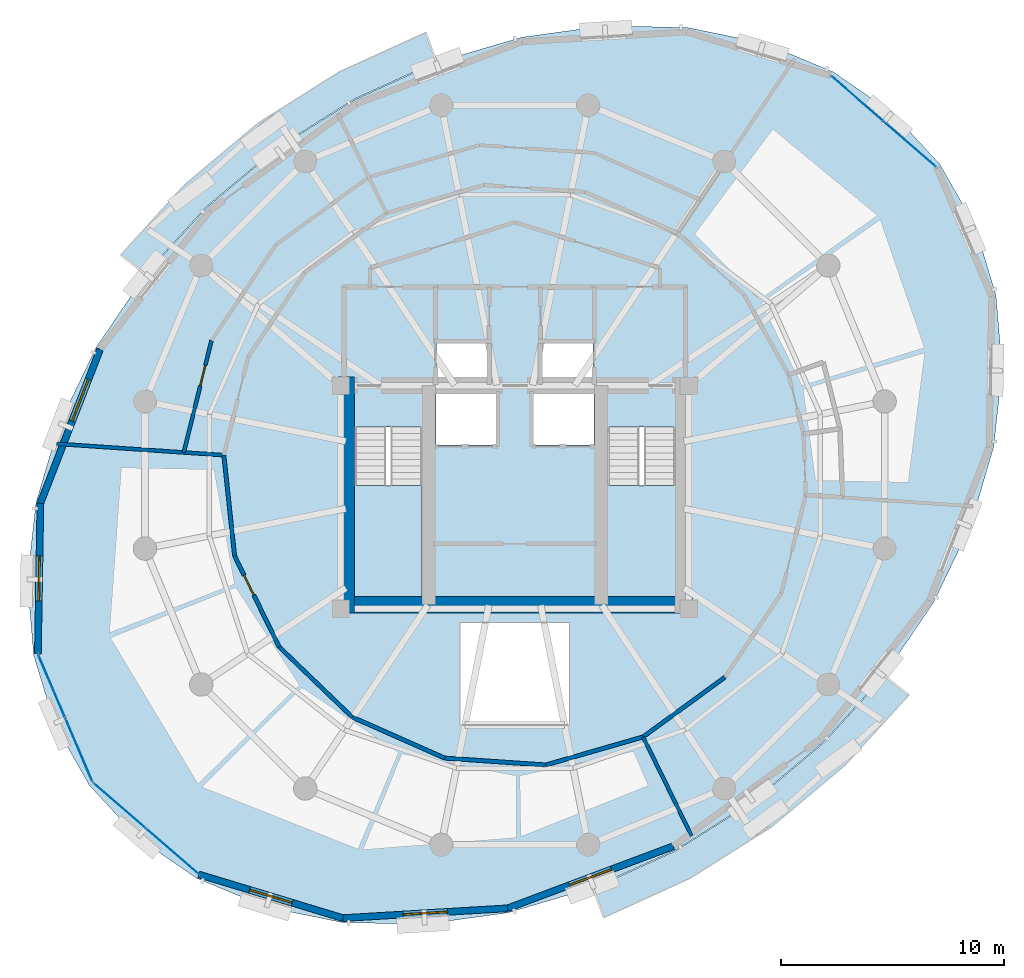
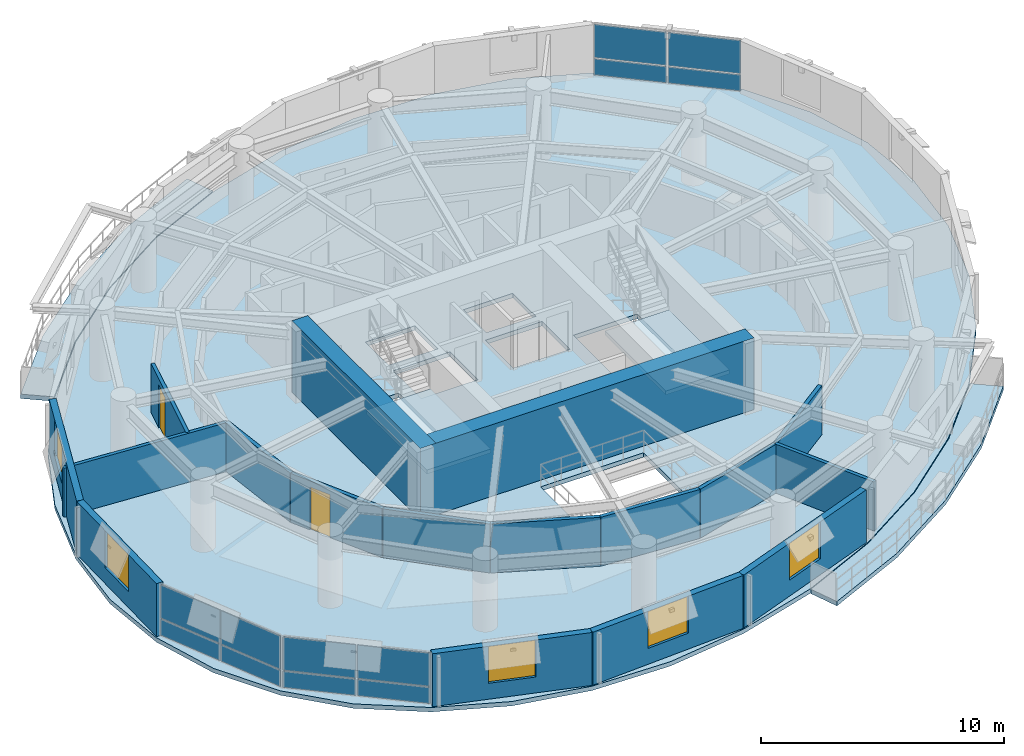
# One storey, part 7 of 12: 17 walls, 12 plates, 5 slabs, 5 windows, 2 doors, 7 openings, 5 elements without a shape of their own.
"""IFC4 building model written with IfcOpenShell, lengths in metres."""

from ifc_helpers import new_model, si_unit, direction, frame, frame_2d, origin, origin_2d, place, context, subcontext, project, spatial, polyline, rectangle, outline, extrude, material, layer, layer_set, type_object, element, fill, aggregate, save


model = new_model("IFC4")

# Units and contexts
model_context = context("Model", 3, precision=1e-05, world=origin(), true_north=direction((0.0, 1.0)))
body_context = subcontext(model_context, "Body", "Model", "MODEL_VIEW")
ifc_project = project(units=[si_unit("LENGTHUNIT", "METRE"), si_unit("AREAUNIT", "SQUARE_METRE"), si_unit("VOLUMEUNIT", "CUBIC_METRE"), si_unit("PLANEANGLEUNIT", "RADIAN"), si_unit("MASSUNIT", "GRAM", prefix="KILO"), si_unit("THERMODYNAMICTEMPERATUREUNIT", "KELVIN"), si_unit("POWERUNIT", "WATT")], contexts=[model_context])

# Site, building, storey
site_placement = place(None, origin())
site = spatial("IfcSite", under=ifc_project, at=site_placement, CompositionType="ELEMENT")
building_placement = place(site_placement, origin())
building = spatial("IfcBuilding", under=site, at=building_placement, Name="Ocrelia Relay Tower", CompositionType="ELEMENT")
storey_placement = place(building_placement, frame((0.0, 0.0, 184.39990234375)))
storey = spatial("IfcBuildingStorey", under=building, at=storey_placement, Name="L44", CompositionType="ELEMENT", Elevation=184.39990234375)

# Curtain wall, plates
ifc_material_1 = material(Name="Aluminium and solar-control low-E glass", Category="aluminium")
ifc_layer_1 = layer(ifc_material_1, 0.179931640625, Name="Aluminium and solar-control low-E glass")
ifc_layer_set_1 = layer_set([ifc_layer_1], Name="Aluminium and solar-control low-E glass")
curtain_wall_type = type_object("IfcCurtainWallType", Name="CW-SYS-Z3-CLOU", PredefinedType="NOTDEFINED", material=ifc_layer_set_1)
curtain_wall_1_placement = place(storey_placement, origin())
curtain_wall_1 = element("IfcCurtainWall", 1, at=curtain_wall_1_placement, inside=storey, type_object=curtain_wall_type, Name="L44 Elliptical Tower Curtain Wall Bay 01", PredefinedType="NOTDEFINED")
ifc_material_2 = material(Name="Clear double-glazed low-E glass", Category="glass")
ifc_layer_2 = layer(ifc_material_2, 0.031982421875, Name="Clear double-glazed low-E glass")
ifc_layer_set_2 = layer_set([ifc_layer_2], Name="Clear double-glazed low-E glass")
plate_type = type_object("IfcPlateType", Name="CW-SYS-Z3-CLOU-PNL", PredefinedType="CURTAIN_PANEL", material=ifc_layer_set_2)
plate_1_placement = place(storey_placement, frame((51.707763671875, 40.82666015625, 0.06005859375), z_axis=(0.0, 0.0, 1.0), x_axis=(-0.755627109499, 0.655002039226, 0.0)))
plate_1 = element("IfcPlate", 2, at=plate_1_placement, type_object=plate_type, Name="CW-Z3 panel 1.1", PredefinedType="CURTAIN_PANEL", context=body_context, shape_type="SweptSolid", body=[
    extrude(rectangle(XDim=3.0439453125, YDim=0.031982421875, at=origin_2d()), origin(), (0.0, 0.0, 1.0), 0.81005859375),
])
plate_2_placement = place(storey_placement, frame((51.707763671875, 40.82666015625, 0.93017578125), z_axis=(0.0, 0.0, 1.0), x_axis=(-0.755627109499, 0.655002039226, 0.0)))
plate_2 = element("IfcPlate", 3, at=plate_2_placement, type_object=plate_type, Name="CW-Z3 panel 1.2", PredefinedType="CURTAIN_PANEL", context=body_context, shape_type="SweptSolid", body=[
    extrude(rectangle(XDim=3.0439453125, YDim=0.031982421875, at=origin_2d()), origin(), (0.0, 0.0, 1.0), 1.669921875),
])
plate_3_placement = place(storey_placement, frame((49.358642578125, 42.863037109375, 0.06005859375), z_axis=(0.0, 0.0, 1.0), x_axis=(-0.755627109499, 0.655002039226, 0.0)))
plate_3 = element("IfcPlate", 4, at=plate_3_placement, type_object=plate_type, Name="CW-Z3 panel 2.1", PredefinedType="CURTAIN_PANEL", context=body_context, shape_type="SweptSolid", body=[
    extrude(rectangle(XDim=3.0439453125, YDim=0.031982421875, at=origin_2d()), origin(), (0.0, 0.0, 1.0), 0.81005859375),
])
plate_4_placement = place(storey_placement, frame((49.358642578125, 42.863037109375, 0.93017578125), z_axis=(0.0, 0.0, 1.0), x_axis=(-0.755627109499, 0.655002039226, 0.0)))
plate_4 = element("IfcPlate", 5, at=plate_4_placement, type_object=plate_type, Name="CW-Z3 panel 2.2", PredefinedType="CURTAIN_PANEL", context=body_context, shape_type="SweptSolid", body=[
    extrude(rectangle(XDim=3.0439453125, YDim=0.031982421875, at=origin_2d()), origin(), (0.0, 0.0, 1.0), 1.669921875),
])
aggregate(curtain_wall_1, [plate_1, plate_2, plate_3, plate_4])

curtain_wall_2_placement = place(storey_placement, origin())
curtain_wall_2 = element("IfcCurtainWall", 6, at=curtain_wall_2_placement, inside=storey, type_object=curtain_wall_type, Name="L44 Elliptical Tower Curtain Wall Bay 09", PredefinedType="NOTDEFINED")
plate_5_placement = place(storey_placement, frame((13.249267578125, 16.531494140625, 0.06005859375), z_axis=(0.0, 0.0, 1.0), x_axis=(0.392651069891, -0.91968752156, 0.0)))
plate_5 = element("IfcPlate", 7, at=plate_5_placement, type_object=plate_type, Name="CW-Z3 panel 1.1", PredefinedType="CURTAIN_PANEL", context=body_context, shape_type="SweptSolid", body=[
    extrude(rectangle(XDim=3.0439453125, YDim=0.031982421875, at=origin_2d()), origin(), (0.0, 0.0, 1.0), 0.81005859375),
])
plate_6_placement = place(storey_placement, frame((13.249267578125, 16.531494140625, 0.93017578125), z_axis=(0.0, 0.0, 1.0), x_axis=(0.392651069891, -0.91968752156, 0.0)))
plate_6 = element("IfcPlate", 8, at=plate_6_placement, type_object=plate_type, Name="CW-Z3 panel 1.2", PredefinedType="CURTAIN_PANEL", context=body_context, shape_type="SweptSolid", body=[
    extrude(rectangle(XDim=3.0439453125, YDim=0.031982421875, at=origin_2d()), origin(), (0.0, 0.0, 1.0), 1.669921875),
])
plate_7_placement = place(storey_placement, frame((14.469970703125, 13.67236328125, 0.06005859375), z_axis=(0.0, 0.0, 1.0), x_axis=(0.392651069891, -0.91968752156, 0.0)))
plate_7 = element("IfcPlate", 9, at=plate_7_placement, type_object=plate_type, Name="CW-Z3 panel 2.1", PredefinedType="CURTAIN_PANEL", context=body_context, shape_type="SweptSolid", body=[
    extrude(rectangle(XDim=3.0439453125, YDim=0.031982421875, at=origin_2d()), origin(), (0.0, 0.0, 1.0), 0.81005859375),
])
plate_8_placement = place(storey_placement, frame((14.469970703125, 13.67236328125, 0.93017578125), z_axis=(0.0, 0.0, 1.0), x_axis=(0.392651069891, -0.91968752156, 0.0)))
plate_8 = element("IfcPlate", 10, at=plate_8_placement, type_object=plate_type, Name="CW-Z3 panel 2.2", PredefinedType="CURTAIN_PANEL", context=body_context, shape_type="SweptSolid", body=[
    extrude(rectangle(XDim=3.0439453125, YDim=0.031982421875, at=origin_2d()), origin(), (0.0, 0.0, 1.0), 1.669921875),
])
aggregate(curtain_wall_2, [plate_5, plate_6, plate_7, plate_8])

curtain_wall_3_placement = place(storey_placement, origin())
curtain_wall_3 = element("IfcCurtainWall", 11, at=curtain_wall_3_placement, inside=storey, type_object=curtain_wall_type, Name="L44 Elliptical Tower Curtain Wall Bay 10", PredefinedType="NOTDEFINED")
plate_9_placement = place(storey_placement, frame((16.292236328125, 11.17333984375, 0.06005859375), z_axis=(0.0, 0.0, 1.0), x_axis=(0.755627109499, -0.655002039226, 0.0)))
plate_9 = element("IfcPlate", 12, at=plate_9_placement, type_object=plate_type, Name="CW-Z3 panel 1.1", PredefinedType="CURTAIN_PANEL", context=body_context, shape_type="SweptSolid", body=[
    extrude(rectangle(XDim=3.0439453125, YDim=0.031982421875, at=origin_2d()), origin(), (0.0, 0.0, 1.0), 0.81005859375),
])
plate_10_placement = place(storey_placement, frame((16.292236328125, 11.17333984375, 0.93017578125), z_axis=(0.0, 0.0, 1.0), x_axis=(0.755627109499, -0.655002039226, 0.0)))
plate_10 = element("IfcPlate", 13, at=plate_10_placement, type_object=plate_type, Name="CW-Z3 panel 1.2", PredefinedType="CURTAIN_PANEL", context=body_context, shape_type="SweptSolid", body=[
    extrude(rectangle(XDim=3.0439453125, YDim=0.031982421875, at=origin_2d()), origin(), (0.0, 0.0, 1.0), 1.669921875),
])
plate_11_placement = place(storey_placement, frame((18.641357421875, 9.136962890625, 0.06005859375), z_axis=(0.0, 0.0, 1.0), x_axis=(0.755627109499, -0.655002039226, 0.0)))
plate_11 = element("IfcPlate", 14, at=plate_11_placement, type_object=plate_type, Name="CW-Z3 panel 2.1", PredefinedType="CURTAIN_PANEL", context=body_context, shape_type="SweptSolid", body=[
    extrude(rectangle(XDim=3.0439453125, YDim=0.031982421875, at=origin_2d()), origin(), (0.0, 0.0, 1.0), 0.81005859375),
])
plate_12_placement = place(storey_placement, frame((18.641357421875, 9.136962890625, 0.93017578125), z_axis=(0.0, 0.0, 1.0), x_axis=(0.755627109499, -0.655002039226, 0.0)))
plate_12 = element("IfcPlate", 15, at=plate_12_placement, type_object=plate_type, Name="CW-Z3 panel 2.2", PredefinedType="CURTAIN_PANEL", context=body_context, shape_type="SweptSolid", body=[
    extrude(rectangle(XDim=3.0439453125, YDim=0.031982421875, at=origin_2d()), origin(), (0.0, 0.0, 1.0), 1.669921875),
])
aggregate(curtain_wall_3, [plate_9, plate_10, plate_11, plate_12])

# Slabs
ifc_material_3 = material(Name="Precast concrete C40/50", Category="concrete")
ifc_layer_3 = layer(ifc_material_3, 0.219970703125, Name="Precast concrete C40/50")
ifc_layer_set_3 = layer_set([ifc_layer_3], Name="Precast concrete C40/50")
slab_type_1 = type_object("IfcSlabType", Name="SL-BALC-220", PredefinedType="FLOOR", material=ifc_layer_set_3)
slab_1_placement = place(storey_placement, frame((0.0, 0.0, -0.219970703125)))
element("IfcSlab", 16, at=slab_1_placement, inside=storey, type_object=slab_type_1, Name="L44 Planted Loggia Balcony B1", PredefinedType="FLOOR", context=body_context, shape_type="SweptSolid", body=[
    extrude(outline(polyline([(30.489990234375, 44.526611328125), (28.64208984375, 43.68505859375), (26.79443359375, 42.843505859375), (23.31787109375, 40.64892578125), (20.16552734375, 38.009521484375), (18.79931640625, 36.507568359375), (17.433349609375, 35.00537109375), (16.339111328125, 35.8681640625), (17.769775390625, 37.44140625), (19.20068359375, 39.0146484375), (22.4970703125, 41.7744140625), (26.13232421875, 44.0693359375), (28.067626953125, 44.95068359375), (30.0029296875, 45.832275390625), (30.489990234375, 44.526611328125)])), origin(), (0.0, 0.0, 1.0), 0.219970703125),
])
slab_2_placement = place(storey_placement, frame((0.0, 0.0, -0.219970703125)))
element("IfcSlab", 17, at=slab_2_placement, inside=storey, type_object=slab_type_1, Name="L44 Planted Loggia Balcony B2", PredefinedType="FLOOR", context=body_context, shape_type="SweptSolid", body=[
    extrude(outline(polyline([(37.510009765625, 7.473388671875), (39.357666015625, 8.31494140625), (41.20556640625, 9.156494140625), (44.68212890625, 11.35107421875), (47.83447265625, 13.990478515625), (49.20068359375, 15.492431640625), (50.566650390625, 16.99462890625), (51.660888671875, 16.1318359375), (50.230224609375, 14.55859375), (48.79931640625, 12.9853515625), (45.5029296875, 10.2255859375), (41.86767578125, 7.9306640625), (39.932373046875, 7.04931640625), (37.9970703125, 6.167724609375), (37.510009765625, 7.473388671875)])), origin(), (0.0, 0.0, 1.0), 0.219970703125),
])
ifc_material_4 = material(Name="Concrete C50/60", Category="concrete")
ifc_layer_4 = layer(ifc_material_4, 0.219970703125, Name="Concrete C50/60")
ifc_layer_set_4 = layer_set([ifc_layer_4], Name="Concrete C50/60")
slab_type_2 = type_object("IfcSlabType", Name="SL-FLR-220", PredefinedType="FLOOR", material=ifc_layer_set_4)
slab_3_placement = place(storey_placement, frame((0.0, 0.0, -0.219970703125)))
element("IfcSlab", 18, at=slab_3_placement, inside=storey, type_object=slab_type_2, Name="L44 Elliptical Tower Floor Slab", PredefinedType="FLOOR", context=body_context, shape_type="SweptSolid", body=[
    extrude(outline(polyline([(53.068603515625, 39.905029296875), (50.927001953125, 42.2333984375), (48.27099609375, 44.068359375), (45.181640625, 45.3544921875), (41.75244140625, 46.052490234375), (38.087646484375, 46.14111328125), (34.298583984375, 45.617919921875), (30.50048828125, 44.498291015625), (26.808837890625, 42.81689453125), (23.33544921875, 40.62451171875), (20.186279296875, 37.98779296875), (17.456787109375, 34.98681640625), (15.22998046875, 31.712890625), (13.573486328125, 28.26513671875), (12.53759765625, 24.74853515625), (12.15380859375, 21.270263671875), (12.43408203125, 17.935546875), (13.369384765625, 14.845703125), (14.931396484375, 12.094970703125), (17.072998046875, 9.7666015625), (19.72900390625, 7.931640625), (22.818359375, 6.6455078125), (26.24755859375, 5.947509765625), (29.912353515625, 5.85888671875), (33.701416015625, 6.382080078125), (37.49951171875, 7.501708984375), (41.191162109375, 9.18310546875), (44.66455078125, 11.37548828125), (47.813720703125, 14.01220703125), (50.543212890625, 17.01318359375), (52.77001953125, 20.287109375), (54.426513671875, 23.73486328125), (55.46240234375, 27.25146484375), (55.84619140625, 30.729736328125), (55.56591796875, 34.064453125), (54.630615234375, 37.154296875), (53.068603515625, 39.905029296875)]), holes=[polyline([(26.81005859375, 28.14990234375), (26.81005859375, 20.550048828125), (29.85009765625, 20.550048828125), (29.85009765625, 28.14990234375), (26.81005859375, 28.14990234375)]), polyline([(38.159912109375, 28.14990234375), (38.159912109375, 20.550048828125), (41.199951171875, 20.550048828125), (41.199951171875, 28.14990234375), (38.159912109375, 28.14990234375)]), polyline([(30.4599609375, 27.35009765625), (33.159912109375, 27.35009765625), (33.159912109375, 29.64990234375), (30.4599609375, 29.64990234375), (30.4599609375, 27.35009765625)]), polyline([(34.840087890625, 27.35009765625), (37.5400390625, 27.35009765625), (37.5400390625, 29.64990234375), (34.840087890625, 29.64990234375), (34.840087890625, 27.35009765625)]), polyline([(30.5, 30.10009765625), (32.85009765625, 30.10009765625), (32.85009765625, 32.0), (30.5, 32.0), (30.5, 30.10009765625)]), polyline([(35.14990234375, 30.10009765625), (37.5, 30.10009765625), (37.5, 32.0), (35.14990234375, 32.0), (35.14990234375, 30.10009765625)]), polyline([(31.550048828125, 14.800048828125), (36.449951171875, 14.800048828125), (36.449951171875, 19.39990234375), (31.550048828125, 19.39990234375), (31.550048828125, 14.800048828125)])]), origin(), (0.0, 0.0, 1.0), 0.219970703125),
])

# Stair, slab
stair_type = type_object("IfcStairType", Name="ST-DL-1420-R180", PredefinedType="HALF_TURN_STAIR", material=ifc_material_4)
stair_1_placement = place(storey_placement, origin())
stair_1 = element("IfcStair", 19, at=stair_1_placement, inside=storey, type_object=stair_type, Name="L44 West Core Exit Stair ST1", PredefinedType="HALF_TURN_STAIR")
ifc_layer_5 = layer(ifc_material_4, 0.199951171875, Name="Concrete C50/60")
ifc_layer_set_5 = layer_set([ifc_layer_5], Name="Concrete C50/60")
slab_type_3 = type_object("IfcSlabType", Name="SL-LANDING-200", PredefinedType="LANDING", material=ifc_layer_set_5)
slab_4_placement = place(storey_placement, frame((0.0, 0.0, 1.60009765625)))
slab_4 = element("IfcSlab", 20, at=slab_4_placement, type_object=slab_type_3, Name="ST1 landing 1", PredefinedType="LANDING", context=body_context, shape_type="SweptSolid", body=[
    extrude(outline(polyline([(26.81005859375, 25.5400390625), (26.81005859375, 20.550048828125), (29.85009765625, 20.550048828125), (29.85009765625, 25.5400390625), (26.81005859375, 25.5400390625)])), origin(), (0.0, 0.0, 1.0), 0.199951171875),
])
aggregate(stair_1, [slab_4])

stair_2_placement = place(storey_placement, origin())
stair_2 = element("IfcStair", 21, at=stair_2_placement, inside=storey, type_object=stair_type, Name="L44 East Core Exit Stair ST2", PredefinedType="HALF_TURN_STAIR")
slab_5_placement = place(storey_placement, frame((0.0, 0.0, 1.60009765625)))
slab_5 = element("IfcSlab", 22, at=slab_5_placement, type_object=slab_type_3, Name="ST2 landing 1", PredefinedType="LANDING", context=body_context, shape_type="SweptSolid", body=[
    extrude(outline(polyline([(38.159912109375, 25.5400390625), (38.159912109375, 20.550048828125), (41.199951171875, 20.550048828125), (41.199951171875, 25.5400390625), (38.159912109375, 25.5400390625)])), origin(), (0.0, 0.0, 1.0), 0.199951171875),
])
aggregate(stair_2, [slab_5])

# Walls
ifc_material_5 = material(Name="Concrete C60/75", Category="concrete")
ifc_layer_6 = layer(ifc_material_5, 0.75, Name="Concrete C60/75")
ifc_layer_set_6 = layer_set([ifc_layer_6], Name="Concrete C60/75")
wall_type_1 = type_object("IfcWallType", Name="CW-CORE-750", PredefinedType="SHEAR", material=ifc_layer_set_6)
wall_1_placement = place(storey_placement, frame((26.072021484375, 20.18701171875, 0.0), z_axis=(0.0, 0.0, 1.0), x_axis=(1.0, 0.0, 0.0)))
element("IfcWall", 23, at=wall_1_placement, inside=storey, type_object=wall_type_1, Name="L44 Core Shear Wall S", PredefinedType="SHEAR", context=body_context, shape_type="SweptSolid", body=[
    extrude(rectangle(XDim=15.865966796875, YDim=0.75, at=frame_2d((7.93310546875, 0.0))), origin(), (0.0, 0.0, 1.0), 3.60009765625),
])
wall_2_placement = place(storey_placement, frame((26.447021484375, 19.81201171875, 0.0), z_axis=(0.0, 0.0, 1.0), x_axis=(0.0, 1.0, 0.0)))
element("IfcWall", 24, at=wall_2_placement, inside=storey, type_object=wall_type_1, Name="L44 Core Shear Wall W", PredefinedType="SHEAR", context=body_context, shape_type="SweptSolid", body=[
    extrude(rectangle(XDim=10.575927734375, YDim=0.75, at=frame_2d((5.2880859375, 0.0))), origin(), (0.0, 0.0, 1.0), 3.60009765625),
])
ifc_material_6 = material(Name="Gypsum Fireboard Partition EI60", Category="gypsum")
ifc_layer_7 = layer(ifc_material_6, 0.179931640625, Name="Gypsum Fireboard Partition EI60")
ifc_layer_set_7 = layer_set([ifc_layer_7], Name="Gypsum Fireboard Partition EI60")
wall_type_2 = type_object("IfcWallType", Name="W-CORR-EI60-180", PredefinedType="PARTITIONING", material=ifc_layer_set_7)
wall_3_placement = place(storey_placement, frame((20.960205078125, 26.888916015625, 0.0), z_axis=(0.0, 0.0, 1.0), x_axis=(0.106280537679, -0.994336184251, 0.0)))
element("IfcWall", 25, at=wall_3_placement, inside=storey, type_object=wall_type_2, Name="L44 Spectrum Operations Office Corridor Partition 1", PredefinedType="PARTITIONING", context=body_context, shape_type="SweptSolid", body=[
    extrude(rectangle(XDim=4.5390625, YDim=0.179931640625, at=frame_2d((2.26953125, 0.0))), origin(), (0.0, 0.0, 1.0), 2.460205078125),
])

# Wall, opening, door
wall_4_placement = place(storey_placement, frame((21.442626953125, 22.37548828125, 0.0), z_axis=(0.0, 0.0, 1.0), x_axis=(0.439970139949, -0.898012403006, 0.0)))
wall_4 = element("IfcWall", 26, at=wall_4_placement, inside=storey, type_object=wall_type_2, Name="L44 Spectrum Operations Office Corridor Partition 2", PredefinedType="PARTITIONING", context=body_context, shape_type="SweptSolid", body=[
    extrude(rectangle(XDim=4.5390625, YDim=0.179931640625, at=frame_2d((2.26953125, 0.0))), origin(), (0.0, 0.0, 1.0), 2.460205078125),
])
opening_1_placement = place(wall_4_placement, frame((0.959716796875, 0.0, 0.0)))
opening_1 = element("IfcOpeningElement", 27, at=opening_1_placement, cuts=wall_4, Name="Opening D-RM100", PredefinedType="OPENING", context=body_context, shape_type="SweptSolid", body=[
    extrude(rectangle(XDim=1.0, YDim=2.14990234375, at=frame_2d((0.5, 1.074951171875))), frame((0.0, 0.10009765625, 0.0), z_axis=(0.0, -1.0, 0.0), x_axis=(1.0, 0.0, 0.0)), (0.0, 0.0, 1.0), 0.199951171875),
])
ifc_material_7 = material(Name="Acoustic oak veneer fire door", Category="wood")
door_type_1 = type_object("IfcDoorType", Name="DR-ROOM-FD60-1000", OperationType="NOTDEFINED", PredefinedType="DOOR", material=ifc_material_7)
door_1_placement = place(opening_1_placement, origin())
door_1 = element("IfcDoor", 28, at=door_1_placement, inside=storey, type_object=door_type_1, Name="L44 Spectrum Operations Office Entrance Door", OperationType="SINGLE_SWING_LEFT", OverallHeight=2.14990234375, OverallWidth=1.0, PredefinedType="DOOR", context=body_context, shape_type="SweptSolid", body=[
    extrude(rectangle(XDim=1.0, YDim=2.14990234375, at=frame_2d((0.5, 1.074951171875))), frame((0.0, 0.02490234375, 0.0), z_axis=(0.0, -1.0, 0.0), x_axis=(1.0, 0.0, 0.0)), (0.0, 0.0, 1.0), 0.050048828125),
])
fill(opening_1, door_1)

# Walls
wall_5_placement = place(storey_placement, frame((23.439697265625, 18.29931640625, 0.0), z_axis=(0.0, 0.0, 1.0), x_axis=(0.720504320507, -0.693450448216, 0.0)))
element("IfcWall", 29, at=wall_5_placement, inside=storey, type_object=wall_type_2, Name="L44 Spectrum Operations Office Corridor Partition 3", PredefinedType="PARTITIONING", context=body_context, shape_type="SweptSolid", body=[
    extrude(rectangle(XDim=4.539306640625, YDim=0.179931640625, at=frame_2d((2.26953125, 0.0))), origin(), (0.0, 0.0, 1.0), 2.460205078125),
])
wall_6_placement = place(storey_placement, frame((26.710205078125, 15.151611328125, 0.0), z_axis=(0.0, 0.0, 1.0), x_axis=(0.914263453777, -0.405120151421, 0.0)))
element("IfcWall", 30, at=wall_6_placement, inside=storey, type_object=wall_type_2, Name="L44 Spectrum Operations Office Corridor Partition 4", PredefinedType="PARTITIONING", context=body_context, shape_type="SweptSolid", body=[
    extrude(rectangle(XDim=4.5390625, YDim=0.179931640625, at=frame_2d((2.26953125, 0.0))), origin(), (0.0, 0.0, 1.0), 2.460205078125),
])
wall_7_placement = place(storey_placement, frame((30.860107421875, 13.312744140625, 0.0), z_axis=(0.0, 0.0, 1.0), x_axis=(0.997682863043, -0.068036055081, 0.0)))
element("IfcWall", 31, at=wall_7_placement, inside=storey, type_object=wall_type_2, Name="L44 Spectrum Operations Office Corridor Partition 5", PredefinedType="PARTITIONING", context=body_context, shape_type="SweptSolid", body=[
    extrude(rectangle(XDim=4.539306640625, YDim=0.179931640625, at=frame_2d((2.26953125, 0.0))), origin(), (0.0, 0.0, 1.0), 2.460205078125),
])
for number, where, z_axis, x_axis, name in (
    (32, (35.388916015625, 13.00390625, 0.0), (0.0, 0.0, 1.0), (0.960777578055, 0.27732011378, 0.0), "L44 Spectrum Operations Office Corridor Partition 6"),
    (33, (39.75, 14.2626953125, 0.0), (0.0, 0.0, 1.0), (0.807970187932, 0.589223366316, 0.0), "L44 Fiber Patch Store Corridor Partition 1"),
):
    element("IfcWall", number, at=place(storey_placement, frame(where, z_axis=z_axis, x_axis=x_axis)), inside=storey, type_object=wall_type_2, Name=name, PredefinedType="PARTITIONING", context=body_context, shape_type="SweptSolid", body=[
        extrude(rectangle(XDim=4.5390625, YDim=0.179931640625, at=frame_2d((2.26953125, 0.0))), origin(), (0.0, 0.0, 1.0), 2.460205078125),
    ])

# Wall, opening, window
ifc_material_8 = material(Name="Precast concrete C40/50 with oxide terracotta", Category="masonry")
ifc_layer_8 = layer(ifc_material_8, 0.300048828125, Name="Precast concrete C40/50 with oxide terracotta")
ifc_layer_set_8 = layer_set([ifc_layer_8], Name="Precast concrete C40/50 with oxide terracotta")
wall_type_3 = type_object("IfcWallType", Name="W-EXT-TERR-300", PredefinedType="SOLIDWALL", material=ifc_layer_set_8)
wall_8_placement = place(storey_placement, frame((15.412841796875, 31.631591796875, 0.0), z_axis=(0.0, 0.0, 1.0), x_axis=(-0.361691208155, -0.93229795127, 0.0)))
wall_8 = element("IfcWall", 34, at=wall_8_placement, inside=storey, type_object=wall_type_3, Name="L44 Oxide Terracotta Facade Wall 07", PredefinedType="SOLIDWALL", context=body_context, shape_type="SweptSolid", body=[
    extrude(rectangle(XDim=7.397216796875, YDim=0.300048828125, at=frame_2d((3.69873046875, 0.0))), origin(), (0.0, 0.0, 1.0), 2.66015625),
])
opening_2_placement = place(wall_8_placement, frame((1.43896484375, 0.0, 0.800048828125)))
opening_2 = element("IfcOpeningElement", 35, at=opening_2_placement, cuts=wall_8, Name="Opening W-03", PredefinedType="OPENING", context=body_context, shape_type="SweptSolid", body=[
    extrude(rectangle(XDim=2.0, YDim=1.85009765625, at=frame_2d((1.0, 0.925048828125))), frame((0.0, 0.16015625, 0.0), z_axis=(0.0, -1.0, 0.0), x_axis=(1.0, 0.0, 0.0)), (0.0, 0.0, 1.0), 0.320068359375),
])
window_type = type_object("IfcWindowType", Name="WIN-Z3-2000x2200", PartitioningType="DOUBLE_PANEL_VERTICAL", PredefinedType="WINDOW", material=ifc_material_2)
window_1_placement = place(opening_2_placement, origin())
window_1 = element("IfcWindow", 36, at=window_1_placement, inside=storey, type_object=window_type, Name="L44 Facade Module Window 07", OverallHeight=1.85009765625, OverallWidth=2.0, PartitioningType="SINGLE_PANEL", PredefinedType="WINDOW", context=body_context, shape_type="SweptSolid", body=[
    extrude(rectangle(XDim=2.0, YDim=1.85009765625, at=frame_2d((1.0, 0.925048828125))), frame((0.0, 0.030029296875, 0.0), z_axis=(0.0, -1.0, 0.0), x_axis=(1.0, 0.0, 0.0)), (0.0, 0.0, 1.0), 0.06005859375),
])
fill(opening_2, window_1)

wall_9_placement = place(storey_placement, frame((12.7373046875, 24.735107421875, 0.0), z_axis=(0.0, 0.0, 1.0), x_axis=(-0.016468950616, -0.999864377636, 0.0)))
wall_9 = element("IfcWall", 37, at=wall_9_placement, inside=storey, type_object=wall_type_3, Name="L44 Oxide Terracotta Facade Wall 08", PredefinedType="SOLIDWALL", context=body_context, shape_type="SweptSolid", body=[
    extrude(rectangle(XDim=6.7451171875, YDim=0.300048828125, at=frame_2d((3.37255859375, 0.0))), origin(), (0.0, 0.0, 1.0), 2.66015625),
])
opening_3_placement = place(wall_9_placement, frame((2.373046875, 0.0, 0.800048828125)))
opening_3 = element("IfcOpeningElement", 38, at=opening_3_placement, cuts=wall_9, Name="Opening W-03", PredefinedType="OPENING", context=body_context, shape_type="SweptSolid", body=[
    extrude(rectangle(XDim=2.0, YDim=1.85009765625, at=frame_2d((1.0, 0.925048828125))), frame((0.0, 0.16015625, 0.0), z_axis=(0.0, -1.0, 0.0), x_axis=(1.0, 0.0, 0.0)), (0.0, 0.0, 1.0), 0.320068359375),
])
window_2_placement = place(opening_3_placement, origin())
window_2 = element("IfcWindow", 39, at=window_2_placement, inside=storey, type_object=window_type, Name="L44 Facade Module Window 08", OverallHeight=1.85009765625, OverallWidth=2.0, PartitioningType="SINGLE_PANEL", PredefinedType="WINDOW", context=body_context, shape_type="SweptSolid", body=[
    extrude(rectangle(XDim=2.0, YDim=1.85009765625, at=frame_2d((1.0, 0.925048828125))), frame((0.0, 0.030029296875, 0.0), z_axis=(0.0, -1.0, 0.0), x_axis=(1.0, 0.0, 0.0)), (0.0, 0.0, 1.0), 0.06005859375),
])
fill(opening_3, window_2)

wall_10_placement = place(storey_placement, frame((19.84033203125, 8.09765625, 0.0), z_axis=(0.0, 0.0, 1.0), x_axis=(0.957028666132, -0.289993331306, 0.0)))
wall_10 = element("IfcWall", 40, at=wall_10_placement, inside=storey, type_object=wall_type_3, Name="L44 Oxide Terracotta Facade Wall 11", PredefinedType="SOLIDWALL", context=body_context, shape_type="SweptSolid", body=[
    extrude(rectangle(XDim=6.7451171875, YDim=0.300048828125, at=frame_2d((3.37255859375, 0.0))), origin(), (0.0, 0.0, 1.0), 2.66015625),
])
opening_4_placement = place(wall_10_placement, frame((2.373046875, 0.0, 0.800048828125)))
opening_4 = element("IfcOpeningElement", 41, at=opening_4_placement, cuts=wall_10, Name="Opening W-03", PredefinedType="OPENING", context=body_context, shape_type="SweptSolid", body=[
    extrude(rectangle(XDim=2.0, YDim=1.85009765625, at=frame_2d((1.0, 0.925048828125))), frame((0.0, 0.16015625, 0.0), z_axis=(0.0, -1.0, 0.0), x_axis=(1.0, 0.0, 0.0)), (0.0, 0.0, 1.0), 0.320068359375),
])
window_3_placement = place(opening_4_placement, origin())
window_3 = element("IfcWindow", 42, at=window_3_placement, inside=storey, type_object=window_type, Name="L44 Facade Module Window 11", OverallHeight=1.85009765625, OverallWidth=2.0, PartitioningType="SINGLE_PANEL", PredefinedType="WINDOW", context=body_context, shape_type="SweptSolid", body=[
    extrude(rectangle(XDim=2.0, YDim=1.85009765625, at=frame_2d((1.0, 0.925048828125))), frame((0.0, 0.030029296875, 0.0), z_axis=(0.0, -1.0, 0.0), x_axis=(1.0, 0.0, 0.0)), (0.0, 0.0, 1.0), 0.06005859375),
])
fill(opening_4, window_3)

wall_11_placement = place(storey_placement, frame((26.295654296875, 6.1416015625, 0.0), z_axis=(0.0, 0.0, 1.0), x_axis=(0.998233967271, 0.059404937385, 0.0)))
wall_11 = element("IfcWall", 43, at=wall_11_placement, inside=storey, type_object=wall_type_3, Name="L44 Oxide Terracotta Facade Wall 12", PredefinedType="SOLIDWALL", context=body_context, shape_type="SweptSolid", body=[
    extrude(rectangle(XDim=7.397705078125, YDim=0.300048828125, at=frame_2d((3.69873046875, 0.0))), origin(), (0.0, 0.0, 1.0), 2.66015625),
])
opening_5_placement = place(wall_11_placement, frame((2.698974609375, 0.0, 0.800048828125)))
opening_5 = element("IfcOpeningElement", 44, at=opening_5_placement, cuts=wall_11, Name="Opening W-03", PredefinedType="OPENING", context=body_context, shape_type="SweptSolid", body=[
    extrude(rectangle(XDim=2.0, YDim=1.85009765625, at=frame_2d((1.0, 0.925048828125))), frame((0.0, 0.16015625, 0.0), z_axis=(0.0, -1.0, 0.0), x_axis=(1.0, 0.0, 0.0)), (0.0, 0.0, 1.0), 0.320068359375),
])
window_4_placement = place(opening_5_placement, origin())
window_4 = element("IfcWindow", 45, at=window_4_placement, inside=storey, type_object=window_type, Name="L44 Facade Module Window 12", OverallHeight=1.85009765625, OverallWidth=2.0, PartitioningType="SINGLE_PANEL", PredefinedType="WINDOW", context=body_context, shape_type="SweptSolid", body=[
    extrude(rectangle(XDim=2.0, YDim=1.85009765625, at=frame_2d((1.0, 0.925048828125))), frame((0.0, 0.030029296875, 0.0), z_axis=(0.0, -1.0, 0.0), x_axis=(1.0, 0.0, 0.0)), (0.0, 0.0, 1.0), 0.06005859375),
])
fill(opening_5, window_4)

wall_12_placement = place(storey_placement, frame((33.68017578125, 6.5810546875, 0.0), z_axis=(0.0, 0.0, 1.0), x_axis=(0.93641901012, 0.350883794846, 0.0)))
wall_12 = element("IfcWall", 46, at=wall_12_placement, inside=storey, type_object=wall_type_3, Name="L44 Oxide Terracotta Facade Wall 13", PredefinedType="SOLIDWALL", context=body_context, shape_type="SweptSolid", body=[
    extrude(rectangle(XDim=7.927001953125, YDim=0.300048828125, at=frame_2d((3.96337890625, 0.0))), origin(), (0.0, 0.0, 1.0), 2.66015625),
])
opening_6_placement = place(wall_12_placement, frame((2.964111328125, 0.0, 0.800048828125)))
opening_6 = element("IfcOpeningElement", 47, at=opening_6_placement, cuts=wall_12, Name="Opening W-03", PredefinedType="OPENING", context=body_context, shape_type="SweptSolid", body=[
    extrude(rectangle(XDim=2.0, YDim=1.85009765625, at=frame_2d((1.0, 0.925048828125))), frame((0.0, 0.16015625, 0.0), z_axis=(0.0, -1.0, 0.0), x_axis=(1.0, 0.0, 0.0)), (0.0, 0.0, 1.0), 0.320068359375),
])
window_5_placement = place(opening_6_placement, origin())
window_5 = element("IfcWindow", 48, at=window_5_placement, inside=storey, type_object=window_type, Name="L44 Facade Module Window 13", OverallHeight=1.85009765625, OverallWidth=2.0, PartitioningType="SINGLE_PANEL", PredefinedType="WINDOW", context=body_context, shape_type="SweptSolid", body=[
    extrude(rectangle(XDim=2.0, YDim=1.85009765625, at=frame_2d((1.0, 0.925048828125))), frame((0.0, 0.030029296875, 0.0), z_axis=(0.0, -1.0, 0.0), x_axis=(1.0, 0.0, 0.0)), (0.0, 0.0, 1.0), 0.06005859375),
])
fill(opening_6, window_5)

# Wall
ifc_material_9 = material(Name="Acoustic Fireboard Partition EI60", Category="gypsum")
ifc_layer_9 = layer(ifc_material_9, 0.159912109375, Name="Acoustic Fireboard Partition EI60")
ifc_layer_set_9 = layer_set([ifc_layer_9], Name="Acoustic Fireboard Partition EI60")
wall_type_4 = type_object("IfcWallType", Name="W-PART-160", PredefinedType="PARTITIONING", material=ifc_layer_set_9)
wall_13_placement = place(storey_placement, frame((20.960205078125, 26.888916015625, 0.0), z_axis=(0.0, 0.0, 1.0), x_axis=(-0.99768434454, 0.068014326874, 0.0)))
element("IfcWall", 49, at=wall_13_placement, inside=storey, type_object=wall_type_4, Name="L44 Innovation Club Room Radial Partition", PredefinedType="PARTITIONING", context=body_context, shape_type="SweptSolid", body=[
    extrude(rectangle(XDim=7.50927734375, YDim=0.159912109375, at=frame_2d((3.754638671875, 0.0))), origin(), (0.0, 0.0, 1.0), 2.460205078125),
])

# Wall, opening, door
wall_14_placement = place(storey_placement, frame((20.405029296875, 32.0244140625, 0.0), z_axis=(0.0, 0.0, 1.0), x_axis=(-0.240254602528, -0.970709908245, 0.0)))
wall_14 = element("IfcWall", 50, at=wall_14_placement, inside=storey, type_object=wall_type_4, Name="L44 Perimeter Innovation Club Room Mid-Ring Partition 3", PredefinedType="PARTITIONING", context=body_context, shape_type="SweptSolid", body=[
    extrude(rectangle(XDim=5.164306640625, YDim=0.159912109375, at=frame_2d((2.58203125, 0.0))), origin(), (0.0, 0.0, 1.0), 2.460205078125),
])
opening_7_placement = place(wall_14_placement, frame((1.1435546875, 0.0, 0.0)))
opening_7 = element("IfcOpeningElement", 51, at=opening_7_placement, cuts=wall_14, Name="Opening D-RM95", PredefinedType="OPENING", context=body_context, shape_type="SweptSolid", body=[
    extrude(rectangle(XDim=0.949951171875, YDim=2.14990234375, at=frame_2d((0.47509765625, 1.074951171875))), frame((0.0, 0.08984375, 0.0), z_axis=(0.0, -1.0, 0.0), x_axis=(1.0, 0.0, 0.0)), (0.0, 0.0, 1.0), 0.179931640625),
])
door_type_2 = type_object("IfcDoorType", Name="DR-ROOM-950", OperationType="NOTDEFINED", PredefinedType="DOOR", material=ifc_material_7)
door_2_placement = place(opening_7_placement, origin())
door_2 = element("IfcDoor", 52, at=door_2_placement, inside=storey, type_object=door_type_2, Name="L44 Perimeter Innovation Club Room Connecting Door", OperationType="SINGLE_SWING_RIGHT", OverallHeight=2.14990234375, OverallWidth=0.949951171875, PredefinedType="DOOR", context=body_context, shape_type="SweptSolid", body=[
    extrude(rectangle(XDim=0.949951171875, YDim=2.14990234375, at=frame_2d((0.47509765625, 1.074951171875))), frame((0.0, 0.02490234375, 0.0), z_axis=(0.0, -1.0, 0.0), x_axis=(1.0, 0.0, 0.0)), (0.0, 0.0, 1.0), 0.050048828125),
])
fill(opening_7, door_2)

# Wall
wall_15_placement = place(storey_placement, frame((39.75, 14.2626953125, 0.0), z_axis=(0.0, 0.0, 1.0), x_axis=(0.439928419605, -0.898032842175, 0.0)))
element("IfcWall", 53, at=wall_15_placement, inside=storey, type_object=wall_type_4, Name="L44 Spectrum Operations Office Radial Partition", PredefinedType="PARTITIONING", context=body_context, shape_type="SweptSolid", body=[
    extrude(rectangle(XDim=4.94287109375, YDim=0.159912109375, at=frame_2d((2.471435546875, 0.0))), origin(), (0.0, 0.0, 1.0), 2.460205078125),
])

save(model, "model.ifc")
